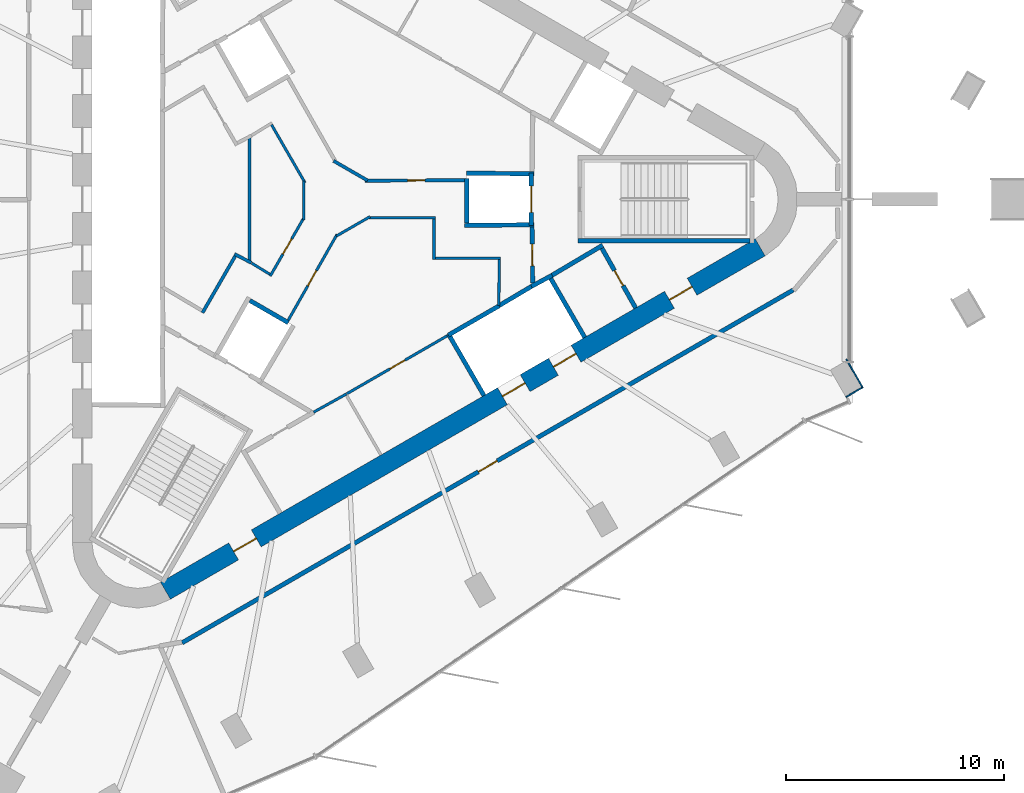
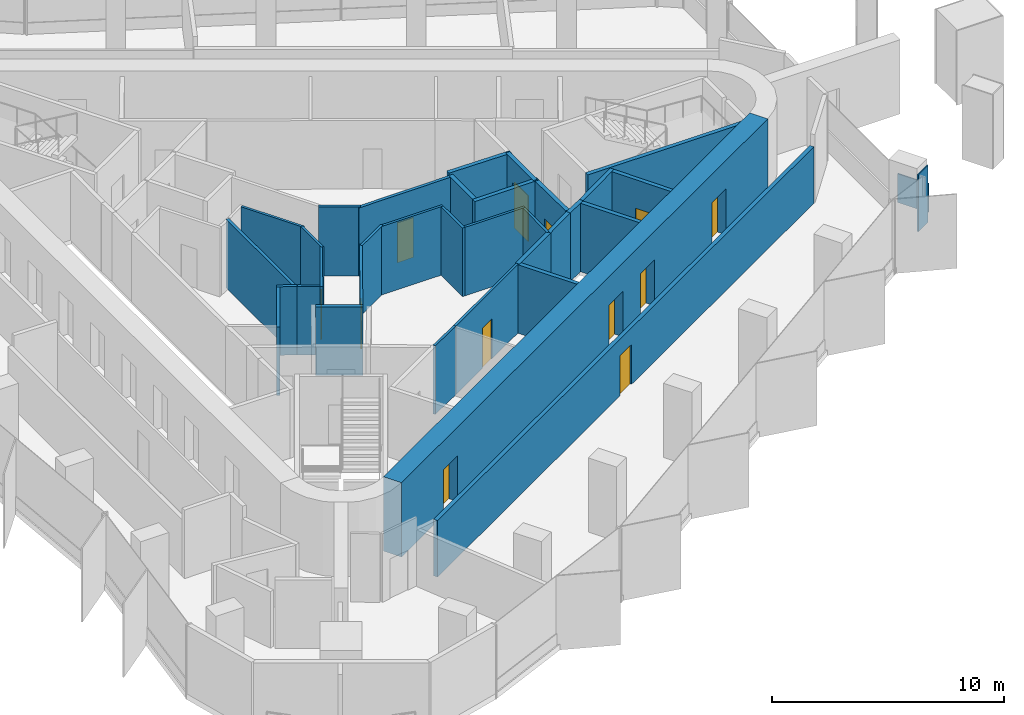
# One storey, part 8 of 12: 35 walls, 12 doors, 12 openings.
"""IFC4 building model written with IfcOpenShell, lengths in metres."""

from ifc_helpers import new_model, si_unit, direction, frame, frame_2d, origin, place, context, subcontext, project, spatial, rectangle, extrude, material, layer, layer_set, type_object, element, fill, save


model = new_model("IFC4")

# Units and contexts
model_context = context("Model", 3, precision=1e-05, world=origin(), true_north=direction((0.0, 1.0)))
body_context = subcontext(model_context, "Body", "Model", "MODEL_VIEW")
ifc_project = project(units=[si_unit("LENGTHUNIT", "METRE"), si_unit("AREAUNIT", "SQUARE_METRE"), si_unit("VOLUMEUNIT", "CUBIC_METRE"), si_unit("PLANEANGLEUNIT", "RADIAN"), si_unit("MASSUNIT", "GRAM", prefix="KILO")], contexts=[model_context])

# Site, building, storey
site_placement = place(None, origin())
site = spatial("IfcSite", under=ifc_project, at=site_placement, CompositionType="ELEMENT")
building_placement = place(site_placement, origin())
building = spatial("IfcBuilding", under=site, at=building_placement, Name="Tanit Gate Tower", CompositionType="ELEMENT")
storey_placement = place(building_placement, frame((0.0, 0.0, 384.5)))
storey = spatial("IfcBuildingStorey", under=building, at=storey_placement, Name="L88", CompositionType="ELEMENT", Elevation=384.5)

# Wall, openings, doors
ifc_material_1 = material(Name="Concrete C40/50", Category="concrete")
ifc_layer_1 = layer(ifc_material_1, 0.89990234375)
ifc_layer_set_1 = layer_set([ifc_layer_1], Name="CORE WALL 900 C40/50")
wall_type_1 = type_object("IfcWallType", Name="CORE WALL 900 C40/50", PredefinedType="SHEAR", material=ifc_layer_set_1)
wall_1_placement = place(storey_placement, frame((-7.824951171875, -17.969970703125, 0.0), z_axis=(0.0, 0.0, 1.0), x_axis=(0.866028369851, 0.499994862586, 0.0)))
wall_1 = element("IfcWall", 1, at=wall_1_placement, inside=storey, type_object=wall_type_1, Name="CORE WALL", PredefinedType="SHEAR", context=body_context, shape_type="SweptSolid", body=[
    extrude(rectangle(XDim=31.523193359375, YDim=0.89990234375, at=frame_2d((15.76171875, 0.0))), origin(), (0.0, 0.0, 1.0), 3.89990234375),
])
opening_1_placement = place(wall_1_placement, frame((17.861572265625, 0.0, 0.0)))
opening_1 = element("IfcOpeningElement", 2, at=opening_1_placement, cuts=wall_1, Name="Opening LDSV1-88", PredefinedType="OPENING", context=body_context, shape_type="SweptSolid", body=[
    extrude(rectangle(XDim=1.199951171875, YDim=2.39990234375, at=frame_2d((0.60009765625, 1.199951171875))), frame((0.0, 0.4599609375, 0.0), z_axis=(0.0, -1.0, 0.0), x_axis=(1.0, 0.0, 0.0)), (0.0, 0.0, 1.0), 0.919921875),
])
opening_2_placement = place(wall_1_placement, frame((20.561767578125, 0.0, 0.0)))
opening_2 = element("IfcOpeningElement", 3, at=opening_2_placement, cuts=wall_1, Name="Opening LDSV2-88", PredefinedType="OPENING", context=body_context, shape_type="SweptSolid", body=[
    extrude(rectangle(XDim=1.199951171875, YDim=2.39990234375, at=frame_2d((0.60009765625, 1.199951171875))), frame((0.0, 0.4599609375, 0.0), z_axis=(0.0, -1.0, 0.0), x_axis=(1.0, 0.0, 0.0)), (0.0, 0.0, 1.0), 0.919921875),
])
opening_3_placement = place(wall_1_placement, frame((26.711669921875, 0.0, 0.0)))
opening_3 = element("IfcOpeningElement", 4, at=opening_3_placement, cuts=wall_1, Name="Opening F12-88-S1", PredefinedType="OPENING", context=body_context, shape_type="SweptSolid", body=[
    extrude(rectangle(XDim=1.199951171875, YDim=2.39990234375, at=frame_2d((0.60009765625, 1.199951171875))), frame((0.0, 0.4599609375, 0.0), z_axis=(0.0, -1.0, 0.0), x_axis=(1.0, 0.0, 0.0)), (0.0, 0.0, 1.0), 0.919921875),
])
opening_4_placement = place(wall_1_placement, frame((3.611572265625, 0.0, 0.0)))
opening_4 = element("IfcOpeningElement", 5, at=opening_4_placement, cuts=wall_1, Name="Opening F12-88-FL3", PredefinedType="OPENING", context=body_context, shape_type="SweptSolid", body=[
    extrude(rectangle(XDim=1.199951171875, YDim=2.39990234375, at=frame_2d((0.60009765625, 1.199951171875))), frame((0.0, 0.4599609375, 0.0), z_axis=(0.0, -1.0, 0.0), x_axis=(1.0, 0.0, 0.0)), (0.0, 0.0, 1.0), 0.919921875),
])
ifc_material_2 = material(Name="Fire-rated steel door leaf", Category="steel")
door_type_1 = type_object("IfcDoorType", Name="INT-DOOR-FIRE-LOBBY-1200", OperationType="NOTDEFINED", PredefinedType="USERDEFINED", material=ifc_material_2)
door_1_placement = place(opening_3_placement, origin())
door_1 = element("IfcDoor", 6, at=door_1_placement, inside=storey, type_object=door_type_1, Name="Door F12-88-S1", ObjectType="FIRE DOOR", OperationType="SINGLE_SWING_LEFT", OverallHeight=2.39990234375, OverallWidth=1.199951171875, PredefinedType="USERDEFINED", context=body_context, shape_type="SweptSolid", body=[
    extrude(rectangle(XDim=1.199951171875, YDim=2.39990234375, at=frame_2d((0.60009765625, 1.199951171875))), frame((0.0, 0.02490234375, 0.0), z_axis=(0.0, -1.0, 0.0), x_axis=(1.0, 0.0, 0.0)), (0.0, 0.0, 1.0), 0.050048828125),
])
fill(opening_3, door_1)
door_2_placement = place(opening_4_placement, origin())
door_2 = element("IfcDoor", 7, at=door_2_placement, inside=storey, type_object=door_type_1, Name="Door F12-88-FL3", ObjectType="FIRE DOOR", OperationType="SINGLE_SWING_RIGHT", OverallHeight=2.39990234375, OverallWidth=1.199951171875, PredefinedType="USERDEFINED", context=body_context, shape_type="SweptSolid", body=[
    extrude(rectangle(XDim=1.199951171875, YDim=2.39990234375, at=frame_2d((0.60009765625, 1.199951171875))), frame((0.0, 0.02490234375, 0.0), z_axis=(0.0, -1.0, 0.0), x_axis=(1.0, 0.0, 0.0)), (0.0, 0.0, 1.0), 0.050048828125),
])
fill(opening_4, door_2)
ifc_material_3 = material(Name="Stainless steel sliding door leaf", Category="steel")
door_type_2 = type_object("IfcDoorType", Name="INT-DOOR-LANDING-1200", OperationType="NOTDEFINED", PredefinedType="USERDEFINED", material=ifc_material_3)
door_3_placement = place(opening_1_placement, origin())
door_3 = element("IfcDoor", 8, at=door_3_placement, inside=storey, type_object=door_type_2, Name="Door LDSV1-88", ObjectType="LANDING DOOR", OperationType="SLIDING_TO_LEFT", OverallHeight=2.39990234375, OverallWidth=1.199951171875, PredefinedType="USERDEFINED", context=body_context, shape_type="SweptSolid", body=[
    extrude(rectangle(XDim=1.199951171875, YDim=2.39990234375, at=frame_2d((0.60009765625, 1.199951171875))), frame((0.0, 0.02490234375, 0.0), z_axis=(0.0, -1.0, 0.0), x_axis=(1.0, 0.0, 0.0)), (0.0, 0.0, 1.0), 0.050048828125),
])
fill(opening_1, door_3)
door_4_placement = place(opening_2_placement, origin())
door_4 = element("IfcDoor", 9, at=door_4_placement, inside=storey, type_object=door_type_2, Name="Door LDSV2-88", ObjectType="LANDING DOOR", OperationType="SLIDING_TO_LEFT", OverallHeight=2.39990234375, OverallWidth=1.199951171875, PredefinedType="USERDEFINED", context=body_context, shape_type="SweptSolid", body=[
    extrude(rectangle(XDim=1.199951171875, YDim=2.39990234375, at=frame_2d((0.60009765625, 1.199951171875))), frame((0.0, 0.02490234375, 0.0), z_axis=(0.0, -1.0, 0.0), x_axis=(1.0, 0.0, 0.0)), (0.0, 0.0, 1.0), 0.050048828125),
])
fill(opening_2, door_4)

# Walls
ifc_material_4 = material(Name="Bronze anodised aluminium cladding", Category="aluminium")
ifc_layer_2 = layer(ifc_material_4, 0.06005859375)
ifc_layer_set_2 = layer_set([ifc_layer_2], Name="Column casing bronze 60")
wall_type_2 = type_object("IfcWallType", Name="Column casing bronze 60", PredefinedType="SOLIDWALL", material=ifc_layer_set_2)
wall_2_placement = place(storey_placement, frame((23.42578125, -7.34521484375, 1.10009765625), z_axis=(0.0, 0.0, 1.0), x_axis=(0.499991248344, -0.866030456496, 0.0)))
element("IfcWall", 10, at=wall_2_placement, inside=storey, type_object=wall_type_2, Name="Column casing L88 P-SE7.L1", PredefinedType="SOLIDWALL", context=body_context, shape_type="SweptSolid", body=[
    extrude(rectangle(XDim=1.52001953125, YDim=0.06005859375, at=frame_2d((0.760009765625, 0.0))), origin(), (0.0, 0.0, 1.0), 1.510009765625),
])
wall_3_placement = place(storey_placement, frame((23.40869140625, -9.075439453125, 0.60009765625), z_axis=(0.0, 0.0, 1.0), x_axis=(0.865989465428, 0.500062241894, 0.0)))
element("IfcWall", 11, at=wall_3_placement, inside=storey, type_object=wall_type_2, Name="Column casing L88 P-SE7.S1", PredefinedType="SOLIDWALL", context=body_context, shape_type="SweptSolid", body=[
    extrude(rectangle(XDim=0.85009765625, YDim=0.06005859375, at=frame_2d((0.425048828125, 0.0))), origin(), (0.0, 0.0, 1.0), 3.0),
])
ifc_material_5 = material(Name="Fire-rated gypsum board partition")
ifc_layer_3 = layer(ifc_material_5, 0.199951171875)
ifc_layer_set_3 = layer_set([ifc_layer_3], Name="INT-WALL-COMPARTMENT")
wall_type_3 = type_object("IfcWallType", Name="INT-WALL-COMPARTMENT", PredefinedType="PARTITIONING", material=ifc_layer_set_3)
wall_4_placement = place(storey_placement, frame((12.244873046875, -2.10888671875, 0.0), z_axis=(0.0, 0.0, 1.0), x_axis=(-0.860414880418, -0.509594185166, 0.0)))
element("IfcWall", 12, at=wall_4_placement, inside=storey, type_object=wall_type_3, Name="Wall Compartment W060", PredefinedType="PARTITIONING", context=body_context, shape_type="SweptSolid", body=[
    extrude(rectangle(XDim=2.7001953125, YDim=0.199951171875, at=frame_2d((1.35009765625, 0.0))), origin(), (0.0, 0.0, 1.0), 3.60009765625),
])

# Wall, opening, door
wall_5_placement = place(storey_placement, frame((13.758056640625, -4.989501953125, 0.0), z_axis=(0.0, 0.0, 1.0), x_axis=(-0.491993409184, 0.87059892334, 0.0)))
wall_5 = element("IfcWall", 13, at=wall_5_placement, inside=storey, type_object=wall_type_3, Name="Wall Compartment W061", PredefinedType="PARTITIONING", context=body_context, shape_type="SweptSolid", body=[
    extrude(rectangle(XDim=3.150146484375, YDim=0.199951171875, at=frame_2d((1.5751953125, 0.0))), origin(), (0.0, 0.0, 1.0), 3.60009765625),
])
opening_5_placement = place(wall_5_placement, frame((1.175048828125, 0.0, 0.0)))
opening_5 = element("IfcOpeningElement", 14, at=opening_5_placement, cuts=wall_5, Name="Opening R08-88-19", PredefinedType="OPENING", context=body_context, shape_type="SweptSolid", body=[
    extrude(rectangle(XDim=0.800048828125, YDim=2.10009765625, at=frame_2d((0.39990234375, 1.050048828125))), frame((0.0, 0.10986328125, 0.0), z_axis=(0.0, -1.0, 0.0), x_axis=(1.0, 0.0, 0.0)), (0.0, 0.0, 1.0), 0.219970703125),
])
ifc_material_6 = material(Name="Timber door leaf", Category="wood")
door_type_3 = type_object("IfcDoorType", Name="INT-DOOR-RISER-800", OperationType="NOTDEFINED", PredefinedType="USERDEFINED", material=ifc_material_6)
door_5_placement = place(opening_5_placement, origin())
door_5 = element("IfcDoor", 15, at=door_5_placement, inside=storey, type_object=door_type_3, Name="Door R08-88-19", ObjectType="FIRE DOOR", OperationType="SINGLE_SWING_LEFT", OverallHeight=2.10009765625, OverallWidth=0.800048828125, PredefinedType="USERDEFINED", context=body_context, shape_type="SweptSolid", body=[
    extrude(rectangle(XDim=0.800048828125, YDim=2.10009765625, at=frame_2d((0.39990234375, 1.050048828125))), frame((0.0, 0.02490234375, 0.0), z_axis=(0.0, -1.0, 0.0), x_axis=(1.0, 0.0, 0.0)), (0.0, 0.0, 1.0), 0.050048828125),
])
fill(opening_5, door_5)

wall_6_placement = place(storey_placement, frame((9.02880859375, -3.850830078125, 0.0), z_axis=(0.0, 0.0, 1.0), x_axis=(-0.010783593937, 0.99994185536, 0.0)))
wall_6 = element("IfcWall", 16, at=wall_6_placement, inside=storey, type_object=wall_type_3, Name="Wall Compartment W063", PredefinedType="PARTITIONING", context=body_context, shape_type="SweptSolid", body=[
    extrude(rectangle(XDim=2.5810546875, YDim=0.199951171875, at=frame_2d((1.29052734375, 0.0))), origin(), (0.0, 0.0, 1.0), 3.60009765625),
])
opening_6_placement = place(wall_6_placement, frame((0.79052734375, 0.0, 0.0)))
opening_6 = element("IfcOpeningElement", 17, at=opening_6_placement, cuts=wall_6, Name="Opening F10-88-02", PredefinedType="OPENING", context=body_context, shape_type="SweptSolid", body=[
    extrude(rectangle(XDim=1.0, YDim=2.10009765625, at=frame_2d((0.5, 1.050048828125))), frame((0.0, 0.10986328125, 0.0), z_axis=(0.0, -1.0, 0.0), x_axis=(1.0, 0.0, 0.0)), (0.0, 0.0, 1.0), 0.219970703125),
])
ifc_material_7 = material(Name="Fire-rated steel door leaf", Category="steel")
door_type_4 = type_object("IfcDoorType", Name="INT-DOOR-FIRE-1000", OperationType="NOTDEFINED", PredefinedType="USERDEFINED", material=ifc_material_7)
door_6_placement = place(opening_6_placement, origin())
door_6 = element("IfcDoor", 18, at=door_6_placement, inside=storey, type_object=door_type_4, Name="Door F10-88-02", ObjectType="FIRE DOOR", OperationType="SINGLE_SWING_RIGHT", OverallHeight=2.10009765625, OverallWidth=1.0, PredefinedType="USERDEFINED", context=body_context, shape_type="SweptSolid", body=[
    extrude(rectangle(XDim=1.0, YDim=2.10009765625, at=frame_2d((0.5, 1.050048828125))), frame((0.0, 0.02490234375, 0.0), z_axis=(0.0, -1.0, 0.0), x_axis=(1.0, 0.0, 0.0)), (0.0, 0.0, 1.0), 0.050048828125),
])
fill(opening_6, door_6)

wall_7_placement = place(storey_placement, frame((-7.060791015625, -20.35791015625, 0.0), z_axis=(0.0, 0.0, 1.0), x_axis=(0.866023651043, 0.500003035824, 0.0)))
wall_7 = element("IfcWall", 19, at=wall_7_placement, inside=storey, type_object=wall_type_3, Name="Wall Compartment W118", PredefinedType="PARTITIONING", context=body_context, shape_type="SweptSolid", body=[
    extrude(rectangle(XDim=32.387451171875, YDim=0.199951171875, at=frame_2d((16.19384765625, 0.0))), origin(), (0.0, 0.0, 1.0), 2.969970703125),
])
opening_7_placement = place(wall_7_placement, frame((15.699951171875, 0.0, 0.0)))
opening_7 = element("IfcOpeningElement", 20, at=opening_7_placement, cuts=wall_7, Name="Opening F10-88-27", PredefinedType="OPENING", context=body_context, shape_type="SweptSolid", body=[
    extrude(rectangle(XDim=1.0, YDim=2.10009765625, at=frame_2d((0.5, 1.050048828125))), frame((0.0, 0.10986328125, 0.0), z_axis=(0.0, -1.0, 0.0), x_axis=(1.0, 0.0, 0.0)), (0.0, 0.0, 1.0), 0.219970703125),
])
door_7_placement = place(opening_7_placement, origin())
door_7 = element("IfcDoor", 21, at=door_7_placement, inside=storey, type_object=door_type_4, Name="Door F10-88-27", ObjectType="FIRE DOOR", OperationType="SINGLE_SWING_RIGHT", OverallHeight=2.10009765625, OverallWidth=1.0, PredefinedType="USERDEFINED", context=body_context, shape_type="SweptSolid", body=[
    extrude(rectangle(XDim=1.0, YDim=2.10009765625, at=frame_2d((0.5, 1.050048828125))), frame((0.0, 0.02490234375, 0.0), z_axis=(0.0, -1.0, 0.0), x_axis=(1.0, 0.0, 0.0)), (0.0, 0.0, 1.0), 0.050048828125),
])
fill(opening_7, door_7)

# Wall
ifc_material_8 = material(Name="Gypsum board partition")
ifc_layer_4 = layer(ifc_material_8, 0.1201171875)
ifc_layer_set_4 = layer_set([ifc_layer_4], Name="INT-WALL-PARTITION")
wall_type_4 = type_object("IfcWallType", Name="INT-WALL-PARTITION", PredefinedType="PARTITIONING", material=ifc_layer_set_4)
wall_8_placement = place(storey_placement, frame((-1.0234375, -9.77197265625, 0.0), z_axis=(0.0, 0.0, 1.0), x_axis=(0.874290944206, 0.485402250592, 0.0)))
element("IfcWall", 22, at=wall_8_placement, inside=storey, type_object=wall_type_4, Name="Wall Partition W058", PredefinedType="PARTITIONING", context=body_context, shape_type="SweptSolid", body=[
    extrude(rectangle(XDim=1.72265625, YDim=0.1201171875, at=frame_2d((0.861328125, 0.0))), origin(), (0.0, 0.0, 1.0), 3.60009765625),
])

# Wall, opening, door
wall_9_placement = place(storey_placement, frame((0.482666015625, -8.935791015625, 0.0), z_axis=(0.0, 0.0, 1.0), x_axis=(0.866028230842, 0.499995103361, 0.0)))
wall_9 = element("IfcWall", 23, at=wall_9_placement, inside=storey, type_object=wall_type_4, Name="Wall Partition W059", PredefinedType="PARTITIONING", context=body_context, shape_type="SweptSolid", body=[
    extrude(rectangle(XDim=5.39990234375, YDim=0.1201171875, at=frame_2d((2.699951171875, 0.0))), origin(), (0.0, 0.0, 1.0), 3.60009765625),
])
opening_8_placement = place(wall_9_placement, frame((2.300048828125, 0.0, 0.0)))
opening_8 = element("IfcOpeningElement", 24, at=opening_8_placement, cuts=wall_9, Name="Opening R08-88-18", PredefinedType="OPENING", context=body_context, shape_type="SweptSolid", body=[
    extrude(rectangle(XDim=0.800048828125, YDim=2.10009765625, at=frame_2d((0.39990234375, 1.050048828125))), frame((0.0, 0.070068359375, 0.0), z_axis=(0.0, -1.0, 0.0), x_axis=(1.0, 0.0, 0.0)), (0.0, 0.0, 1.0), 0.14013671875),
])
door_8_placement = place(opening_8_placement, origin())
door_8 = element("IfcDoor", 25, at=door_8_placement, inside=storey, type_object=door_type_3, Name="Door R08-88-18", ObjectType="FIRE DOOR", OperationType="SINGLE_SWING_RIGHT", OverallHeight=2.10009765625, OverallWidth=0.800048828125, PredefinedType="USERDEFINED", context=body_context, shape_type="SweptSolid", body=[
    extrude(rectangle(XDim=0.800048828125, YDim=2.10009765625, at=frame_2d((0.39990234375, 1.050048828125))), frame((0.0, 0.02490234375, 0.0), z_axis=(0.0, -1.0, 0.0), x_axis=(1.0, 0.0, 0.0)), (0.0, 0.0, 1.0), 0.050048828125),
])
fill(opening_8, door_8)

wall_10_placement = place(storey_placement, frame((0.050537109375, -1.611083984375, 0.0), z_axis=(0.0, 0.0, 1.0), x_axis=(-0.49434454467, -0.869266053148, 0.0)))
wall_10 = element("IfcWall", 26, at=wall_10_placement, inside=storey, type_object=wall_type_4, Name="Wall Partition W071", PredefinedType="PARTITIONING", context=body_context, shape_type="SweptSolid", body=[
    extrude(rectangle(XDim=4.5302734375, YDim=0.1201171875, at=frame_2d((2.26513671875, 0.0))), origin(), (0.0, 0.0, 1.0), 3.60009765625),
])
opening_9_placement = place(wall_10_placement, frame((1.916259765625, 0.0, 0.0)))
opening_9 = element("IfcOpeningElement", 27, at=opening_9_placement, cuts=wall_10, Name="Opening R08-88-11", PredefinedType="OPENING", context=body_context, shape_type="SweptSolid", body=[
    extrude(rectangle(XDim=0.800048828125, YDim=2.10009765625, at=frame_2d((0.39990234375, 1.050048828125))), frame((0.0, 0.070068359375, 0.0), z_axis=(0.0, -1.0, 0.0), x_axis=(1.0, 0.0, 0.0)), (0.0, 0.0, 1.0), 0.14013671875),
])
door_9_placement = place(opening_9_placement, origin())
door_9 = element("IfcDoor", 28, at=door_9_placement, inside=storey, type_object=door_type_3, Name="Door R08-88-11", ObjectType="FIRE DOOR", OperationType="SINGLE_SWING_RIGHT", OverallHeight=2.10009765625, OverallWidth=0.800048828125, PredefinedType="USERDEFINED", context=body_context, shape_type="SweptSolid", body=[
    extrude(rectangle(XDim=0.800048828125, YDim=2.10009765625, at=frame_2d((0.39990234375, 1.050048828125))), frame((0.0, 0.02490234375, 0.0), z_axis=(0.0, -1.0, 0.0), x_axis=(1.0, 0.0, 0.0)), (0.0, 0.0, 1.0), 0.050048828125),
])
fill(opening_9, door_9)

# Walls
wall_11_placement = place(storey_placement, frame((1.562255859375, -0.798095703125, 0.0), z_axis=(0.0, 0.0, 1.0), x_axis=(-0.86601248742, -0.500022371132, 0.0)))
element("IfcWall", 29, at=wall_11_placement, inside=storey, type_object=wall_type_4, Name="Wall Partition W072", PredefinedType="PARTITIONING", context=body_context, shape_type="SweptSolid", body=[
    extrude(rectangle(XDim=1.78515625, YDim=0.1201171875, at=frame_2d((0.892578125, 0.0))), origin(), (0.0, 0.0, 1.0), 3.60009765625),
])
wall_12_placement = place(storey_placement, frame((4.56005859375, -0.85009765625, 0.0), z_axis=(0.0, 0.0, 1.0), x_axis=(-1.0, 0.0, 0.0)))
element("IfcWall", 30, at=wall_12_placement, inside=storey, type_object=wall_type_4, Name="Wall Partition W073", PredefinedType="PARTITIONING", context=body_context, shape_type="SweptSolid", body=[
    extrude(rectangle(XDim=3.0693359375, YDim=0.1201171875, at=frame_2d((1.53466796875, 0.0))), origin(), (0.0, 0.0, 1.0), 3.60009765625),
])
wall_13_placement = place(storey_placement, frame((4.5, -2.760009765625, 0.0), z_axis=(0.0, 0.0, 1.0), x_axis=(0.0, 1.0, 0.0)))
element("IfcWall", 31, at=wall_13_placement, inside=storey, type_object=wall_type_4, Name="Wall Partition W074", PredefinedType="PARTITIONING", context=body_context, shape_type="SweptSolid", body=[
    extrude(rectangle(XDim=1.85009765625, YDim=0.1201171875, at=frame_2d((0.925048828125, 0.0))), origin(), (0.0, 0.0, 1.0), 3.60009765625),
])
wall_14_placement = place(storey_placement, frame((7.56005859375, -2.699951171875, 0.0), z_axis=(0.0, 0.0, 1.0), x_axis=(-1.0, 0.0, 0.0)))
element("IfcWall", 32, at=wall_14_placement, inside=storey, type_object=wall_type_4, Name="Wall Partition W075", PredefinedType="PARTITIONING", context=body_context, shape_type="SweptSolid", body=[
    extrude(rectangle(XDim=3.0, YDim=0.1201171875, at=frame_2d((1.5, 0.0))), origin(), (0.0, 0.0, 1.0), 3.60009765625),
])
wall_15_placement = place(storey_placement, frame((7.474609375, -4.864501953125, 0.0), z_axis=(0.0, 0.0, 1.0), x_axis=(0.011716133148, 0.999931363757, 0.0)))
element("IfcWall", 33, at=wall_15_placement, inside=storey, type_object=wall_type_4, Name="Wall Partition W076", PredefinedType="PARTITIONING", context=body_context, shape_type="SweptSolid", body=[
    extrude(rectangle(XDim=2.104736328125, YDim=0.1201171875, at=frame_2d((1.05224609375, 0.0))), origin(), (0.0, 0.0, 1.0), 3.60009765625),
])
wall_16_placement = place(storey_placement, frame((-1.420166015625, 0.760009765625, 0.0), z_axis=(0.0, 0.0, 1.0), x_axis=(-0.500011413361, 0.866018814177, 0.0)))
element("IfcWall", 34, at=wall_16_placement, inside=storey, type_object=wall_type_4, Name="Wall Partition W085", PredefinedType="PARTITIONING", context=body_context, shape_type="SweptSolid", body=[
    extrude(rectangle(XDim=3.07177734375, YDim=0.1201171875, at=frame_2d((1.535888671875, 0.0))), origin(), (0.0, 0.0, 1.0), 3.60009765625),
])
wall_17_placement = place(storey_placement, frame((-1.47216796875, -0.953857421875, 0.0), z_axis=(0.0, 0.0, 1.0), x_axis=(0.0, 1.0, 0.0)))
element("IfcWall", 35, at=wall_17_placement, inside=storey, type_object=wall_type_4, Name="Wall Partition W086", PredefinedType="PARTITIONING", context=body_context, shape_type="SweptSolid", body=[
    extrude(rectangle(XDim=1.785400390625, YDim=0.1201171875, at=frame_2d((0.892578125, 0.0))), origin(), (0.0, 0.0, 1.0), 3.60009765625),
])

# Wall, opening, door
wall_18_placement = place(storey_placement, frame((-3.01611328125, -3.524169921875, 0.0), z_axis=(0.0, 0.0, 1.0), x_axis=(0.499988681553, 0.866031938394, 0.0)))
wall_18 = element("IfcWall", 36, at=wall_18_placement, inside=storey, type_object=wall_type_4, Name="Wall Partition W087", PredefinedType="PARTITIONING", context=body_context, shape_type="SweptSolid", body=[
    extrude(rectangle(XDim=3.0693359375, YDim=0.1201171875, at=frame_2d((1.53466796875, 0.0))), origin(), (0.0, 0.0, 1.0), 3.60009765625),
])
opening_10_placement = place(wall_18_placement, frame((1.16455078125, 0.0, 0.0)))
opening_10 = element("IfcOpeningElement", 37, at=opening_10_placement, cuts=wall_18, Name="Opening R08-88-13", PredefinedType="OPENING", context=body_context, shape_type="SweptSolid", body=[
    extrude(rectangle(XDim=0.800048828125, YDim=2.10009765625, at=frame_2d((0.39990234375, 1.050048828125))), frame((0.0, 0.070068359375, 0.0), z_axis=(0.0, -1.0, 0.0), x_axis=(1.0, 0.0, 0.0)), (0.0, 0.0, 1.0), 0.14013671875),
])
door_10_placement = place(opening_10_placement, origin())
door_10 = element("IfcDoor", 38, at=door_10_placement, inside=storey, type_object=door_type_3, Name="Door R08-88-13", ObjectType="FIRE DOOR", OperationType="SINGLE_SWING_RIGHT", OverallHeight=2.10009765625, OverallWidth=0.800048828125, PredefinedType="USERDEFINED", context=body_context, shape_type="SweptSolid", body=[
    extrude(rectangle(XDim=0.800048828125, YDim=2.10009765625, at=frame_2d((0.39990234375, 1.050048828125))), frame((0.0, 0.02490234375, 0.0), z_axis=(0.0, -1.0, 0.0), x_axis=(1.0, 0.0, 0.0)), (0.0, 0.0, 1.0), 0.050048828125),
])
fill(opening_10, door_10)

# Wall
wall_19_placement = place(storey_placement, frame((-3.869873046875, -2.93017578125, 0.0), z_axis=(0.0, 0.0, 1.0), x_axis=(0.852489850103, -0.522743776119, 0.0)))
element("IfcWall", 39, at=wall_19_placement, inside=storey, type_object=wall_type_4, Name="Wall Partition W088", PredefinedType="PARTITIONING", context=body_context, shape_type="SweptSolid", body=[
    extrude(rectangle(XDim=0.9765625, YDim=0.1201171875, at=frame_2d((0.48828125, 0.0))), origin(), (0.0, 0.0, 1.0), 3.60009765625),
])

# Wall, opening, door
ifc_material_9 = material(Name="Fire-rated gypsum board partition")
ifc_layer_5 = layer(ifc_material_9, 0.14990234375)
ifc_layer_set_5 = layer_set([ifc_layer_5], Name="INT-WALL-RISER")
wall_type_5 = type_object("IfcWallType", Name="INT-WALL-RISER", PredefinedType="PLUMBINGWALL", material=ifc_layer_set_5)
wall_20_placement = place(storey_placement, frame((1.34423828125, 0.84912109375, 0.0), z_axis=(0.0, 0.0, 1.0), x_axis=(0.999978627641, 0.00653790957, 0.0)))
wall_20 = element("IfcWall", 40, at=wall_20_placement, inside=storey, type_object=wall_type_5, Name="Wall Riser W068", PredefinedType="PLUMBINGWALL", context=body_context, shape_type="SweptSolid", body=[
    extrude(rectangle(XDim=4.5556640625, YDim=0.14990234375, at=frame_2d((2.27783203125, 0.0))), origin(), (0.0, 0.0, 1.0), 3.60009765625),
])
opening_11_placement = place(wall_20_placement, frame((1.94189453125, 0.0, 0.0)))
opening_11 = element("IfcOpeningElement", 41, at=opening_11_placement, cuts=wall_20, Name="Opening R08-88-10", PredefinedType="OPENING", context=body_context, shape_type="SweptSolid", body=[
    extrude(rectangle(XDim=0.800048828125, YDim=2.10009765625, at=frame_2d((0.39990234375, 1.050048828125))), frame((0.0, 0.0849609375, 0.0), z_axis=(0.0, -1.0, 0.0), x_axis=(1.0, 0.0, 0.0)), (0.0, 0.0, 1.0), 0.169921875),
])
door_11_placement = place(opening_11_placement, origin())
door_11 = element("IfcDoor", 42, at=door_11_placement, inside=storey, type_object=door_type_3, Name="Door R08-88-10", ObjectType="FIRE DOOR", OperationType="SINGLE_SWING_LEFT", OverallHeight=2.10009765625, OverallWidth=0.800048828125, PredefinedType="USERDEFINED", context=body_context, shape_type="SweptSolid", body=[
    extrude(rectangle(XDim=0.800048828125, YDim=2.10009765625, at=frame_2d((0.39990234375, 1.050048828125))), frame((0.0, 0.02490234375, 0.0), z_axis=(0.0, -1.0, 0.0), x_axis=(1.0, 0.0, 0.0)), (0.0, 0.0, 1.0), 0.050048828125),
])
fill(opening_11, door_11)

# Walls
wall_21_placement = place(storey_placement, frame((-0.11083984375, 1.763916015625, 0.0), z_axis=(0.0, 0.0, 1.0), x_axis=(0.866061671171, -0.499937177781, 0.0)))
element("IfcWall", 43, at=wall_21_placement, inside=storey, type_object=wall_type_5, Name="Wall Riser W069", PredefinedType="PLUMBINGWALL", context=body_context, shape_type="SweptSolid", body=[
    extrude(rectangle(XDim=1.804443359375, YDim=0.14990234375, at=frame_2d((0.90234375, 0.0))), origin(), (0.0, 0.0, 1.0), 3.60009765625),
])
wall_22_placement = place(storey_placement, frame((-3.9638671875, -2.90771484375, 0.0), z_axis=(0.0, 0.0, 1.0), x_axis=(0.0, 1.0, 0.0)))
element("IfcWall", 44, at=wall_22_placement, inside=storey, type_object=wall_type_5, Name="Wall Riser W077", PredefinedType="PLUMBINGWALL", context=body_context, shape_type="SweptSolid", body=[
    extrude(rectangle(XDim=5.8154296875, YDim=0.14990234375, at=frame_2d((2.90771484375, 0.0))), origin(), (0.0, 0.0, 1.0), 3.60009765625),
])
wall_23_placement = place(storey_placement, frame((-4.65478515625, -2.51220703125, 0.0), z_axis=(0.0, 0.0, 1.0), x_axis=(0.885372046241, -0.464883146323, 0.0)))
element("IfcWall", 45, at=wall_23_placement, inside=storey, type_object=wall_type_5, Name="Wall Riser W078", PredefinedType="PLUMBINGWALL", context=body_context, shape_type="SweptSolid", body=[
    extrude(rectangle(XDim=0.87451171875, YDim=0.14990234375, at=frame_2d((0.437255859375, 0.0))), origin(), (0.0, 0.0, 1.0), 3.60009765625),
])
wall_24_placement = place(storey_placement, frame((-6.125732421875, -5.210205078125, 0.0), z_axis=(0.0, 0.0, 1.0), x_axis=(0.499990139034, 0.866031096941, 0.0)))
element("IfcWall", 46, at=wall_24_placement, inside=storey, type_object=wall_type_5, Name="Wall Riser W079", PredefinedType="PLUMBINGWALL", context=body_context, shape_type="SweptSolid", body=[
    extrude(rectangle(XDim=3.0, YDim=0.14990234375, at=frame_2d((1.5, 0.0))), origin(), (0.0, 0.0, 1.0), 3.60009765625),
])
ifc_material_10 = material(Name="Gypsum shaft wall system")
ifc_layer_6 = layer(ifc_material_10, 0.199951171875)
ifc_layer_set_6 = layer_set([ifc_layer_6], Name="INT-WALL-SHAFT")
wall_type_6 = type_object("IfcWallType", Name="INT-WALL-SHAFT", PredefinedType="PLUMBINGWALL", material=ifc_layer_set_6)
wall_25_placement = place(storey_placement, frame((6.795166015625, -9.009521484375, 0.0), z_axis=(0.0, 0.0, 1.0), x_axis=(-0.499984717929, 0.866034226713, 0.0)))
element("IfcWall", 47, at=wall_25_placement, inside=storey, type_object=wall_type_6, Name="Wall Shaft W015", PredefinedType="PLUMBINGWALL", context=body_context, shape_type="SweptSolid", body=[
    extrude(rectangle(XDim=3.25, YDim=0.199951171875, at=frame_2d((1.625, 0.0))), origin(), (0.0, 0.0, 1.0), 3.60009765625),
])
wall_26_placement = place(storey_placement, frame((5.1591796875, -6.23583984375, 0.0), z_axis=(0.0, 0.0, 1.0), x_axis=(0.866036505625, 0.499980770555, 0.0)))
element("IfcWall", 48, at=wall_26_placement, inside=storey, type_object=wall_type_6, Name="Wall Shaft W016", PredefinedType="PLUMBINGWALL", context=body_context, shape_type="SweptSolid", body=[
    extrude(rectangle(XDim=2.69970703125, YDim=0.199951171875, at=frame_2d((1.349853515625, 0.0))), origin(), (0.0, 0.0, 1.0), 3.60009765625),
])
wall_27_placement = place(storey_placement, frame((9.794677734375, -3.52490234375, 0.0), z_axis=(0.0, 0.0, 1.0), x_axis=(0.499984717929, -0.866034226713, 0.0)))
element("IfcWall", 49, at=wall_27_placement, inside=storey, type_object=wall_type_6, Name="Wall Shaft W017", PredefinedType="PLUMBINGWALL", context=body_context, shape_type="SweptSolid", body=[
    extrude(rectangle(XDim=3.25, YDim=0.199951171875, at=frame_2d((1.625, 0.0))), origin(), (0.0, 0.0, 1.0), 3.60009765625),
])
wall_28_placement = place(storey_placement, frame((8.97412109375, -3.998779296875, 0.0), z_axis=(0.0, 0.0, 1.0), x_axis=(0.880907015104, 0.473289373154, 0.0)))
element("IfcWall", 50, at=wall_28_placement, inside=storey, type_object=wall_type_6, Name="Wall Shaft W018", PredefinedType="PLUMBINGWALL", context=body_context, shape_type="SweptSolid", body=[
    extrude(rectangle(XDim=1.078125, YDim=0.199951171875, at=frame_2d((0.5390625, 0.0))), origin(), (0.0, 0.0, 1.0), 3.60009765625),
])
wall_29_placement = place(storey_placement, frame((7.4931640625, -4.87841796875, 0.0), z_axis=(0.0, 0.0, 1.0), x_axis=(0.859981807212, 0.510324691999, 0.0)))
element("IfcWall", 51, at=wall_29_placement, inside=storey, type_object=wall_type_6, Name="Wall Shaft W019", PredefinedType="PLUMBINGWALL", context=body_context, shape_type="SweptSolid", body=[
    extrude(rectangle(XDim=1.8447265625, YDim=0.199951171875, at=frame_2d((0.92236328125, 0.0))), origin(), (0.0, 0.0, 1.0), 3.60009765625),
])

# Wall, opening, door
wall_30_placement = place(storey_placement, frame((8.969970703125, 1.199951171875, 0.0), z_axis=(0.0, 0.0, 1.0), x_axis=(0.0, -1.0, 0.0)))
wall_30 = element("IfcWall", 52, at=wall_30_placement, inside=storey, type_object=wall_type_6, Name="Wall Shaft W025", PredefinedType="PLUMBINGWALL", context=body_context, shape_type="SweptSolid", body=[
    extrude(rectangle(XDim=2.39990234375, YDim=0.199951171875, at=frame_2d((1.199951171875, 0.0))), origin(), (0.0, 0.0, 1.0), 3.60009765625),
])
opening_12_placement = place(wall_30_placement, frame((0.60009765625, 0.0, 0.0)))
opening_12 = element("IfcOpeningElement", 53, at=opening_12_placement, cuts=wall_30, Name="Opening LDFL1-L88", PredefinedType="OPENING", context=body_context, shape_type="SweptSolid", body=[
    extrude(rectangle(XDim=1.199951171875, YDim=2.39990234375, at=frame_2d((0.60009765625, 1.199951171875))), frame((0.0, 0.10986328125, 0.0), z_axis=(0.0, -1.0, 0.0), x_axis=(1.0, 0.0, 0.0)), (0.0, 0.0, 1.0), 0.219970703125),
])
door_12_placement = place(opening_12_placement, origin())
door_12 = element("IfcDoor", 54, at=door_12_placement, inside=storey, type_object=door_type_2, Name="Door LDFL1-L88", ObjectType="LANDING DOOR", OperationType="SLIDING_TO_LEFT", OverallHeight=2.39990234375, OverallWidth=1.199951171875, PredefinedType="USERDEFINED", context=body_context, shape_type="SweptSolid", body=[
    extrude(rectangle(XDim=1.199951171875, YDim=2.39990234375, at=frame_2d((0.60009765625, 1.199951171875))), frame((0.0, 0.02490234375, 0.0), z_axis=(0.0, -1.0, 0.0), x_axis=(1.0, 0.0, 0.0)), (0.0, 0.0, 1.0), 0.050048828125),
])
fill(opening_12, door_12)

# Walls
wall_31_placement = place(storey_placement, frame((6.0, 1.199951171875, 0.0), z_axis=(0.0, 0.0, 1.0), x_axis=(0.999949988, -0.010001074852, 0.0)))
element("IfcWall", 55, at=wall_31_placement, inside=storey, type_object=wall_type_6, Name="Wall Shaft W026", PredefinedType="PLUMBINGWALL", context=body_context, shape_type="SweptSolid", body=[
    extrude(rectangle(XDim=3.100341796875, YDim=0.199951171875, at=frame_2d((1.55029296875, 0.0))), origin(), (0.0, 0.0, 1.0), 3.60009765625),
])
wall_32_placement = place(storey_placement, frame((5.89990234375, -1.200927734375, 0.0), z_axis=(0.0, 0.0, 1.0), x_axis=(0.999950064753, 0.009993397809, 0.0)))
element("IfcWall", 56, at=wall_32_placement, inside=storey, type_object=wall_type_6, Name="Wall Shaft W027", PredefinedType="PLUMBINGWALL", context=body_context, shape_type="SweptSolid", body=[
    extrude(rectangle(XDim=3.200439453125, YDim=0.199951171875, at=frame_2d((1.60009765625, 0.0))), origin(), (0.0, 0.0, 1.0), 3.60009765625),
])
wall_33_placement = place(storey_placement, frame((6.0, -1.10009765625, 0.0), z_axis=(0.0, 0.0, 1.0), x_axis=(0.0, 1.0, 0.0)))
element("IfcWall", 57, at=wall_33_placement, inside=storey, type_object=wall_type_6, Name="Wall Shaft W028", PredefinedType="PLUMBINGWALL", context=body_context, shape_type="SweptSolid", body=[
    extrude(rectangle(XDim=2.0546875, YDim=0.199951171875, at=frame_2d((1.02734375, 0.0))), origin(), (0.0, 0.0, 1.0), 3.60009765625),
])
wall_34_placement = place(storey_placement, frame((-3.95263671875, -4.646240234375, 0.0), z_axis=(0.0, 0.0, 1.0), x_axis=(0.866032100247, -0.499988401207, 0.0)))
element("IfcWall", 58, at=wall_34_placement, inside=storey, type_object=wall_type_6, Name="Wall Shaft W046", PredefinedType="PLUMBINGWALL", context=body_context, shape_type="SweptSolid", body=[
    extrude(rectangle(XDim=2.03955078125, YDim=0.199951171875, at=frame_2d((1.019775390625, 0.0))), origin(), (0.0, 0.0, 1.0), 3.60009765625),
])
ifc_material_11 = material(Name="Concrete C40/50", Category="concrete")
ifc_layer_7 = layer(ifc_material_11, 0.199951171875)
ifc_layer_set_7 = layer_set([ifc_layer_7], Name="INT-WALL-STAIR")
wall_type_7 = type_object("IfcWallType", Name="INT-WALL-STAIR", PredefinedType="SHEAR", material=ifc_layer_set_7)
wall_35_placement = place(storey_placement, frame((11.10009765625, -1.89990234375, -0.300048828125), z_axis=(0.0, 0.0, 1.0), x_axis=(1.0, 0.0, 0.0)))
element("IfcWall", 59, at=wall_35_placement, inside=storey, type_object=wall_type_7, Name="Wall Stair W023", PredefinedType="SHEAR", context=body_context, shape_type="SweptSolid", body=[
    extrude(rectangle(XDim=7.89990234375, YDim=0.199951171875, at=frame_2d((3.949951171875, 0.0))), origin(), (0.0, 0.0, 1.0), 3.900146484375),
])

save(model, "model.ifc")
